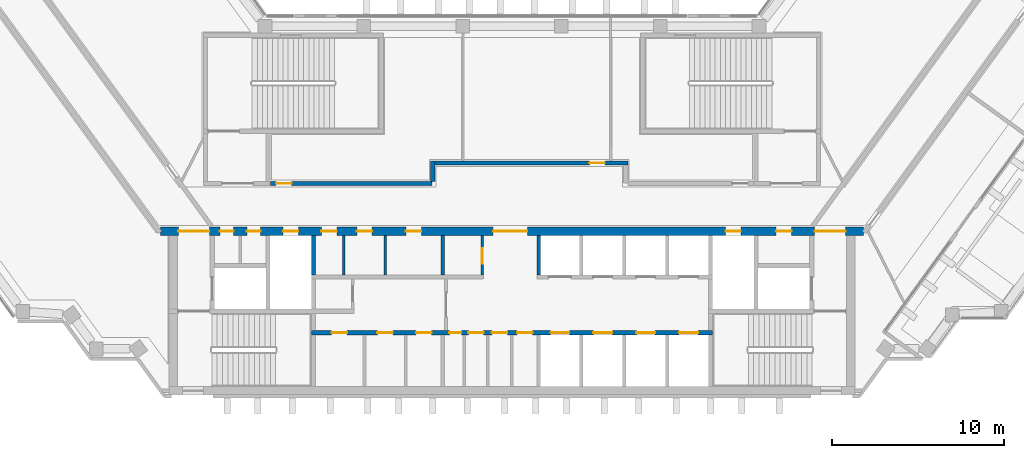
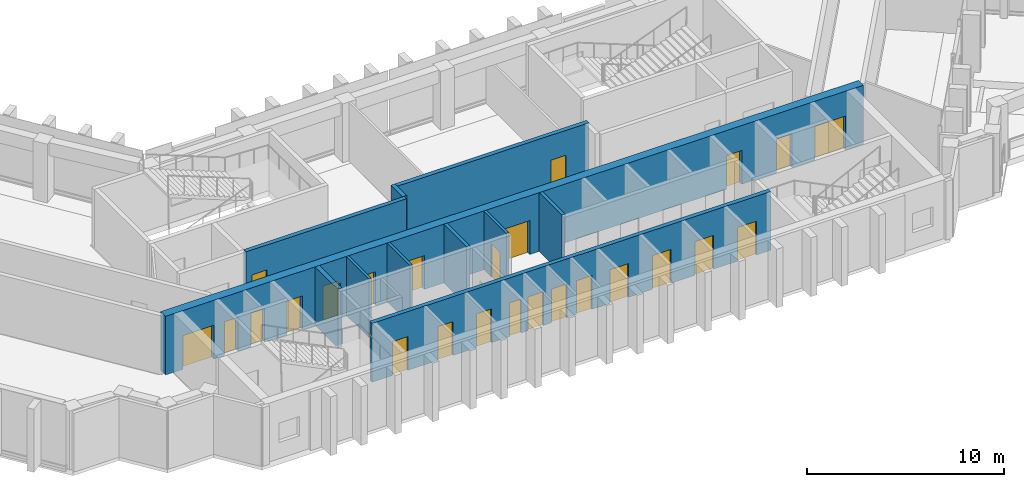
# One storey, part 6 of 10: 25 doors, 11 walls, 25 openings.
"""IFC4 building model written with IfcOpenShell, lengths in metres."""

import ifcopenshell
import ifcopenshell.guid

model = None  # the IFC model being written
_history = None  # IfcOwnerHistory: only IFC2X3 demands one
_inside = {}  # id of a spatial element -> (the spatial element, [elements in it])
_under = {}  # id of a project, library or spatial element -> (it, [spatial elements below it])
_declared = {}  # id of a project -> (the project, [libraries it declares])
_typed = {}  # id of a type object -> (the type object, [elements of that type])
_made_of = {}  # id of a material, layer set ... -> (it, [elements and type objects made of it])


def new_model(schema):
    """Start an empty IFC model of exactly this schema.

    Asked for "IFC4X3", IfcOpenShell would pick the latest addendum, in which some entities
    have other attributes; the version numbers below select the first issue.
    IFC2X3 requires an IfcOwnerHistory on every rooted entity: one is made here for all.
    """
    global model, _history
    if schema == "IFC4X3":
        model = ifcopenshell.file(schema_version=(4, 3, 0, 0))
    else:
        model = ifcopenshell.file(schema=schema)
    _inside.clear()
    _under.clear()
    _declared.clear()
    _typed.clear()
    _made_of.clear()
    _history = None
    if model.schema == "IFC2X3":
        org = make("IfcOrganization", Name="unknown")
        user = make(
            "IfcPersonAndOrganization",
            ThePerson=make("IfcPerson", FamilyName="unknown"),
            TheOrganization=org,
        )
        app = make(
            "IfcApplication",
            ApplicationDeveloper=org,
            Version="unknown",
            ApplicationFullName="unknown",
            ApplicationIdentifier="unknown",
        )
        _history = make(
            "IfcOwnerHistory",
            OwningUser=user,
            OwningApplication=app,
            ChangeAction="ADDED",
            CreationDate=0,
        )
    return model


def make(cls, **values):
    """One entity of the class cls with the attributes given. An attribute that is None is left unset."""
    return model.create_entity(
        cls, **{name: value for name, value in values.items() if value is not None}
    )


def rooted(cls, **values):
    """An entity with a GlobalId (a new one), such as an element, a storey or a relation."""
    return make(cls, GlobalId=ifcopenshell.guid.new(), OwnerHistory=_history, **values)


def si_unit(unit_type, name, prefix=None):
    """IfcSIUnit, for example si_unit("LENGTHUNIT", "METRE", prefix="MILLI")."""
    return make("IfcSIUnit", UnitType=unit_type, Prefix=prefix, Name=name)


def assignment(units):
    """IfcUnitAssignment: the units of a project."""
    return None if units is None else make("IfcUnitAssignment", Units=units)


def point(xyz):
    """IfcCartesianPoint."""
    return None if xyz is None else make("IfcCartesianPoint", Coordinates=xyz)


def direction(xyz):
    """IfcDirection."""
    return None if xyz is None else make("IfcDirection", DirectionRatios=xyz)


def frame(location, z_axis=None, x_axis=None):
    """IfcAxis2Placement3D, a coordinate frame: its origin and axes. An axis left out is left unset."""
    return make(
        "IfcAxis2Placement3D",
        Location=point(location),
        Axis=direction(z_axis),
        RefDirection=direction(x_axis),
    )


def frame_2d(location, x_axis=None):
    """IfcAxis2Placement2D, a coordinate frame in the plane: its origin and x axis."""
    return make(
        "IfcAxis2Placement2D", Location=point(location), RefDirection=direction(x_axis)
    )


def origin():
    """The frame at (0, 0, 0) with its axes left unset."""
    return frame((0.0, 0.0, 0.0))


def place(relative_to, where):
    """IfcLocalPlacement: puts the frame where relative to a parent placement (None: the world)."""
    return make(
        "IfcLocalPlacement", PlacementRelTo=relative_to, RelativePlacement=where
    )


def context(
    kind, dimensions, precision=None, world=None, true_north=None, identifier=None
):
    """IfcGeometricRepresentationContext, for example the 3D "Model" context."""
    return make(
        "IfcGeometricRepresentationContext",
        ContextIdentifier=identifier,
        ContextType=kind,
        CoordinateSpaceDimension=dimensions,
        Precision=precision,
        WorldCoordinateSystem=world,
        TrueNorth=true_north,
    )


def subcontext(parent, identifier, kind, view, scale=None):
    """IfcGeometricRepresentationSubContext, for example "Body" below "Model"."""
    return make(
        "IfcGeometricRepresentationSubContext",
        ContextIdentifier=identifier,
        ContextType=kind,
        ParentContext=parent,
        TargetScale=scale,
        TargetView=view,
    )


def project(units=None, contexts=None):
    """IfcProject with its units and contexts."""
    return rooted(
        "IfcProject",
        Name="project",
        RepresentationContexts=contexts,
        UnitsInContext=assignment(units),
    )


def spatial(cls, under=None, at=None, **own):
    """A site, building, storey or space (cls), placed at a placement, below another one or the project."""
    s = rooted(cls, ObjectPlacement=at, **own)
    if under is not None:
        _under.setdefault(under.id(), (under, []))[1].append(s)
    return s


def profile(cls, at=None, kind="AREA", **sizes):
    """A parametric profile (cls). Its sizes go by their IFC names, for example OverallWidth=200.0."""
    return make(cls, ProfileType=kind, Position=at, **sizes)


def rectangle(**sizes):
    """IfcRectangleProfileDef."""
    return profile("IfcRectangleProfileDef", **sizes)


def extrude(swept, where, along, depth):
    """IfcExtrudedAreaSolid: the profile swept, set in the frame where, extruded along a direction by depth."""
    return make(
        "IfcExtrudedAreaSolid",
        SweptArea=swept,
        Position=where,
        ExtrudedDirection=direction(along),
        Depth=depth,
    )


def shape(context_of_items, identifier, shape_type, items):
    """IfcShapeRepresentation: the items that make up one representation, for example the "Body"."""
    return make(
        "IfcShapeRepresentation",
        ContextOfItems=context_of_items,
        RepresentationIdentifier=identifier,
        RepresentationType=shape_type,
        Items=items,
    )


def material(Name=None, Category=None):
    """IfcMaterial."""
    return make("IfcMaterial", Name=Name, Category=Category)


def layer(
    of_material, thickness, ventilated=None, Name=None, Category=None, Priority=None
):
    """IfcMaterialLayer: one layer of a wall or slab, of a material (None: an air gap)."""
    return make(
        "IfcMaterialLayer",
        Material=of_material,
        LayerThickness=thickness,
        IsVentilated=ventilated,
        Name=Name,
        Category=Category,
        Priority=Priority,
    )


def layer_set(layers, Name=None):
    """IfcMaterialLayerSet."""
    return make("IfcMaterialLayerSet", MaterialLayers=layers, LayerSetName=Name)


def made_of(thing, what):
    """Note that an element or type object is made of a material, layer set ...; save() writes the relation."""
    if what is not None:
        _made_of.setdefault(what.id(), (what, []))[1].append(thing)
    return thing


def type_object(cls, material=None, **own):
    """A type object (cls), such as IfcWallType, which elements share."""
    return made_of(rooted(cls, **own), material)


def element(
    cls,
    number,
    at=None,
    inside=None,
    cuts=None,
    type_object=None,
    material=None,
    context=None,
    identifier="Body",
    shape_type=None,
    held_by="IfcProductDefinitionShape",
    body=None,
    shapes=None,
    **own,
):
    """One element of the class cls, such as IfcWall. Its Tag is "e" and its number.

    at: its placement. inside: the storey or other place that contains it. cuts: it is an
    opening in that element (IfcRelVoidsElement). A single representation is given by context,
    identifier, shape_type and body (its items); several are given by shapes. held_by: the class
    of the entity that holds the representations. save() writes the other relations.
    """
    e = rooted(cls, Tag="e%d" % number, ObjectPlacement=at, **own)
    if body is not None:
        shapes = [shape(context, identifier, shape_type, body)]
    if shapes is not None:
        e.Representation = make(held_by, Representations=shapes)
    if inside is not None:
        _inside.setdefault(inside.id(), (inside, []))[1].append(e)
    if cuts is not None:
        rooted(
            "IfcRelVoidsElement", RelatingBuildingElement=cuts, RelatedOpeningElement=e
        )
    if type_object is not None:
        _typed.setdefault(type_object.id(), (type_object, []))[1].append(e)
    return made_of(e, material)


def fill(opening, filler):
    """IfcRelFillsElement: the door or window that sits in an opening."""
    return rooted(
        "IfcRelFillsElement",
        RelatingOpeningElement=opening,
        RelatedBuildingElement=filler,
    )


def aggregate(whole, parts):
    """IfcRelAggregates: a whole, such as a stair, and the parts it consists of."""
    return rooted("IfcRelAggregates", RelatingObject=whole, RelatedObjects=parts)


def save(model, path):
    """Write the relations noted so far, then the file.

    IfcRelAggregates (storeys below a building ...), IfcRelContainedInSpatialStructure (elements
    in a storey), IfcRelDefinesByType, IfcRelAssociatesMaterial and IfcRelDeclares: one each for
    every whole, place, type object, material and project.
    """
    for whole, parts in _under.values():
        aggregate(whole, parts)
    for where, things in _inside.values():
        rooted(
            "IfcRelContainedInSpatialStructure",
            RelatedElements=things,
            RelatingStructure=where,
        )
    for kind, things in _typed.values():
        rooted("IfcRelDefinesByType", RelatedObjects=things, RelatingType=kind)
    for what, things in _made_of.values():
        rooted("IfcRelAssociatesMaterial", RelatedObjects=things, RelatingMaterial=what)
    for by, libraries in _declared.values():
        rooted("IfcRelDeclares", RelatingContext=by, RelatedDefinitions=libraries)
    model.write(path)


model = new_model("IFC4")

# Units and contexts
model_context = context("Model", 3, precision=1e-05, world=origin(), true_north=direction((0.0, 1.0)))
body_context = subcontext(model_context, "Body", "Model", "MODEL_VIEW")
ifc_project = project(units=[si_unit("LENGTHUNIT", "METRE"), si_unit("AREAUNIT", "SQUARE_METRE"), si_unit("VOLUMEUNIT", "CUBIC_METRE"), si_unit("PLANEANGLEUNIT", "RADIAN"), si_unit("MASSUNIT", "GRAM", prefix="KILO")], contexts=[model_context])

# Site, building, storey
site_placement = place(None, origin())
site = spatial("IfcSite", under=ifc_project, at=site_placement, CompositionType="ELEMENT")
building_placement = place(site_placement, origin())
building = spatial("IfcBuilding", under=site, at=building_placement, Name="Quipu Civic Tower", CompositionType="ELEMENT")
storey_placement = place(building_placement, frame((0.0, 0.0, 206.0)))
storey = spatial("IfcBuildingStorey", under=building, at=storey_placement, Name="L48", CompositionType="ELEMENT", Elevation=206.0)

# Wall, openings, doors
ifc_material_1 = material(Name="Concrete C70/85", Category="concrete")
ifc_layer_1 = layer(ifc_material_1, 0.25)
ifc_layer_set_1 = layer_set([ifc_layer_1], Name="Concrete C70/85")
wall_type_1 = type_object("IfcWallType", Name="Core wall 250", PredefinedType="SHEAR", material=ifc_layer_set_1)
wall_1_placement = place(storey_placement, frame((11.699951171875, -7.375, 0.0), z_axis=(0.0, 0.0, 1.0), x_axis=(-1.0, 0.0, 0.0)))
wall_1 = element("IfcWall", 1, at=wall_1_placement, inside=storey, type_object=wall_type_1, Name="Core wall", PredefinedType="SHEAR", context=body_context, shape_type="SweptSolid", body=[
    extrude(rectangle(XDim=23.39990234375, YDim=0.25, at=frame_2d((11.699951171875, 0.0))), origin(), (0.0, 0.0, 1.0), 3.64990234375),
])
opening_1_placement = place(wall_1_placement, frame((21.31201171875, 0.0, 0.0)))
opening_1 = element("IfcOpeningElement", 2, at=opening_1_placement, cuts=wall_1, Name="Opening CD-01", PredefinedType="OPENING", context=body_context, shape_type="SweptSolid", body=[
    extrude(rectangle(XDim=0.89990234375, YDim=2.10009765625, at=frame_2d((0.449951171875, 1.050048828125))), frame((0.0, 0.135009765625, 0.0), z_axis=(0.0, -1.0, 0.0), x_axis=(1.0, 0.0, 0.0)), (0.0, 0.0, 1.0), 0.27001953125),
])
opening_2_placement = place(wall_1_placement, frame((18.64990234375, 0.0, 0.0)))
opening_2 = element("IfcOpeningElement", 3, at=opening_2_placement, cuts=wall_1, Name="Opening CD-02", PredefinedType="OPENING", context=body_context, shape_type="SweptSolid", body=[
    extrude(rectangle(XDim=0.89990234375, YDim=2.10009765625, at=frame_2d((0.449951171875, 1.050048828125))), frame((0.0, 0.135009765625, 0.0), z_axis=(0.0, -1.0, 0.0), x_axis=(1.0, 0.0, 0.0)), (0.0, 0.0, 1.0), 0.27001953125),
])
opening_3_placement = place(wall_1_placement, frame((16.387939453125, 0.0, 0.0)))
opening_3 = element("IfcOpeningElement", 4, at=opening_3_placement, cuts=wall_1, Name="Opening CD-03", PredefinedType="OPENING", context=body_context, shape_type="SweptSolid", body=[
    extrude(rectangle(XDim=0.89990234375, YDim=2.10009765625, at=frame_2d((0.449951171875, 1.050048828125))), frame((0.0, 0.135009765625, 0.0), z_axis=(0.0, -1.0, 0.0), x_axis=(1.0, 0.0, 0.0)), (0.0, 0.0, 1.0), 0.27001953125),
])
opening_4_placement = place(wall_1_placement, frame((14.64990234375, 0.0, 0.0)))
opening_4 = element("IfcOpeningElement", 5, at=opening_4_placement, cuts=wall_1, Name="Opening CD-04", PredefinedType="OPENING", context=body_context, shape_type="SweptSolid", body=[
    extrude(rectangle(XDim=0.699951171875, YDim=2.10009765625, at=frame_2d((0.35009765625, 1.050048828125))), frame((0.0, 0.135009765625, 0.0), z_axis=(0.0, -1.0, 0.0), x_axis=(1.0, 0.0, 0.0)), (0.0, 0.0, 1.0), 0.27001953125),
])
opening_5_placement = place(wall_1_placement, frame((13.35009765625, 0.0, 0.0)))
opening_5 = element("IfcOpeningElement", 6, at=opening_5_placement, cuts=wall_1, Name="Opening CD-05", PredefinedType="OPENING", context=body_context, shape_type="SweptSolid", body=[
    extrude(rectangle(XDim=0.89990234375, YDim=2.10009765625, at=frame_2d((0.449951171875, 1.050048828125))), frame((0.0, 0.135009765625, 0.0), z_axis=(0.0, -1.0, 0.0), x_axis=(1.0, 0.0, 0.0)), (0.0, 0.0, 1.0), 0.27001953125),
])
opening_6_placement = place(wall_1_placement, frame((11.97509765625, 0.0, 0.0)))
opening_6 = element("IfcOpeningElement", 7, at=opening_6_placement, cuts=wall_1, Name="Opening CD-06", PredefinedType="OPENING", context=body_context, shape_type="SweptSolid", body=[
    extrude(rectangle(XDim=0.89990234375, YDim=2.10009765625, at=frame_2d((0.449951171875, 1.050048828125))), frame((0.0, 0.135009765625, 0.0), z_axis=(0.0, -1.0, 0.0), x_axis=(1.0, 0.0, 0.0)), (0.0, 0.0, 1.0), 0.27001953125),
])
opening_7_placement = place(wall_1_placement, frame((10.5, 0.0, 0.0)))
opening_7 = element("IfcOpeningElement", 8, at=opening_7_placement, cuts=wall_1, Name="Opening CD-07", PredefinedType="OPENING", context=body_context, shape_type="SweptSolid", body=[
    extrude(rectangle(XDim=0.89990234375, YDim=2.10009765625, at=frame_2d((0.449951171875, 1.050048828125))), frame((0.0, 0.135009765625, 0.0), z_axis=(0.0, -1.0, 0.0), x_axis=(1.0, 0.0, 0.0)), (0.0, 0.0, 1.0), 0.27001953125),
])
opening_8_placement = place(wall_1_placement, frame((8.35009765625, 0.0, 0.0)))
opening_8 = element("IfcOpeningElement", 9, at=opening_8_placement, cuts=wall_1, Name="Opening LD-ML1", PredefinedType="OPENING", context=body_context, shape_type="SweptSolid", body=[
    extrude(rectangle(XDim=1.10009765625, YDim=2.10009765625, at=frame_2d((0.550048828125, 1.050048828125))), frame((0.0, 0.135009765625, 0.0), z_axis=(0.0, -1.0, 0.0), x_axis=(1.0, 0.0, 0.0)), (0.0, 0.0, 1.0), 0.27001953125),
])
opening_9_placement = place(wall_1_placement, frame((5.85009765625, 0.0, 0.0)))
opening_9 = element("IfcOpeningElement", 10, at=opening_9_placement, cuts=wall_1, Name="Opening LD-ML2", PredefinedType="OPENING", context=body_context, shape_type="SweptSolid", body=[
    extrude(rectangle(XDim=1.10009765625, YDim=2.10009765625, at=frame_2d((0.550048828125, 1.050048828125))), frame((0.0, 0.135009765625, 0.0), z_axis=(0.0, -1.0, 0.0), x_axis=(1.0, 0.0, 0.0)), (0.0, 0.0, 1.0), 0.27001953125),
])
opening_10_placement = place(wall_1_placement, frame((3.35009765625, 0.0, 0.0)))
opening_10 = element("IfcOpeningElement", 11, at=opening_10_placement, cuts=wall_1, Name="Opening LD-ML3", PredefinedType="OPENING", context=body_context, shape_type="SweptSolid", body=[
    extrude(rectangle(XDim=1.10009765625, YDim=2.10009765625, at=frame_2d((0.550048828125, 1.050048828125))), frame((0.0, 0.135009765625, 0.0), z_axis=(0.0, -1.0, 0.0), x_axis=(1.0, 0.0, 0.0)), (0.0, 0.0, 1.0), 0.27001953125),
])
opening_11_placement = place(wall_1_placement, frame((0.85009765625, 0.0, 0.0)))
opening_11 = element("IfcOpeningElement", 12, at=opening_11_placement, cuts=wall_1, Name="Opening LD-ML4", PredefinedType="OPENING", context=body_context, shape_type="SweptSolid", body=[
    extrude(rectangle(XDim=1.10009765625, YDim=2.10009765625, at=frame_2d((0.550048828125, 1.050048828125))), frame((0.0, 0.135009765625, 0.0), z_axis=(0.0, -1.0, 0.0), x_axis=(1.0, 0.0, 0.0)), (0.0, 0.0, 1.0), 0.27001953125),
])
ifc_material_2 = material(Name="Fire rated steel door", Category="steel")
door_type_1 = type_object("IfcDoorType", Name="Fire door FD60 700 x 2100", OperationType="NOTDEFINED", PredefinedType="DOOR", material=ifc_material_2)
door_1_placement = place(opening_4_placement, origin())
door_1 = element("IfcDoor", 13, at=door_1_placement, inside=storey, type_object=door_type_1, Name="Door", OperationType="SINGLE_SWING_RIGHT", OverallHeight=2.10009765625, OverallWidth=0.699951171875, PredefinedType="DOOR", context=body_context, shape_type="SweptSolid", body=[
    extrude(rectangle(XDim=0.699951171875, YDim=2.10009765625, at=frame_2d((0.35009765625, 1.050048828125))), frame((0.0, 0.02490234375, 0.0), z_axis=(0.0, -1.0, 0.0), x_axis=(1.0, 0.0, 0.0)), (0.0, 0.0, 1.0), 0.050048828125),
])
fill(opening_4, door_1)
ifc_material_3 = material(Name="Fire rated steel door", Category="steel")
door_type_2 = type_object("IfcDoorType", Name="Fire door FD60 900 x 2100", OperationType="NOTDEFINED", PredefinedType="DOOR", material=ifc_material_3)
door_2_placement = place(opening_1_placement, origin())
door_2 = element("IfcDoor", 14, at=door_2_placement, inside=storey, type_object=door_type_2, Name="Door", OperationType="SINGLE_SWING_RIGHT", OverallHeight=2.10009765625, OverallWidth=0.89990234375, PredefinedType="DOOR", context=body_context, shape_type="SweptSolid", body=[
    extrude(rectangle(XDim=0.89990234375, YDim=2.10009765625, at=frame_2d((0.449951171875, 1.050048828125))), frame((0.0, 0.02490234375, 0.0), z_axis=(0.0, -1.0, 0.0), x_axis=(1.0, 0.0, 0.0)), (0.0, 0.0, 1.0), 0.050048828125),
])
fill(opening_1, door_2)
door_3_placement = place(opening_2_placement, origin())
door_3 = element("IfcDoor", 15, at=door_3_placement, inside=storey, type_object=door_type_2, Name="Door", OperationType="SINGLE_SWING_RIGHT", OverallHeight=2.10009765625, OverallWidth=0.89990234375, PredefinedType="DOOR", context=body_context, shape_type="SweptSolid", body=[
    extrude(rectangle(XDim=0.89990234375, YDim=2.10009765625, at=frame_2d((0.449951171875, 1.050048828125))), frame((0.0, 0.02490234375, 0.0), z_axis=(0.0, -1.0, 0.0), x_axis=(1.0, 0.0, 0.0)), (0.0, 0.0, 1.0), 0.050048828125),
])
fill(opening_2, door_3)
door_4_placement = place(opening_3_placement, origin())
door_4 = element("IfcDoor", 16, at=door_4_placement, inside=storey, type_object=door_type_2, Name="Door", OperationType="SINGLE_SWING_RIGHT", OverallHeight=2.10009765625, OverallWidth=0.89990234375, PredefinedType="DOOR", context=body_context, shape_type="SweptSolid", body=[
    extrude(rectangle(XDim=0.89990234375, YDim=2.10009765625, at=frame_2d((0.449951171875, 1.050048828125))), frame((0.0, 0.02490234375, 0.0), z_axis=(0.0, -1.0, 0.0), x_axis=(1.0, 0.0, 0.0)), (0.0, 0.0, 1.0), 0.050048828125),
])
fill(opening_3, door_4)
door_5_placement = place(opening_5_placement, origin())
door_5 = element("IfcDoor", 17, at=door_5_placement, inside=storey, type_object=door_type_2, Name="WC door", OperationType="SINGLE_SWING_RIGHT", OverallHeight=2.10009765625, OverallWidth=0.89990234375, PredefinedType="DOOR", context=body_context, shape_type="SweptSolid", body=[
    extrude(rectangle(XDim=0.89990234375, YDim=2.10009765625, at=frame_2d((0.449951171875, 1.050048828125))), frame((0.0, 0.02490234375, 0.0), z_axis=(0.0, -1.0, 0.0), x_axis=(1.0, 0.0, 0.0)), (0.0, 0.0, 1.0), 0.050048828125),
])
fill(opening_5, door_5)
door_6_placement = place(opening_6_placement, origin())
door_6 = element("IfcDoor", 18, at=door_6_placement, inside=storey, type_object=door_type_2, Name="WC door", OperationType="SINGLE_SWING_RIGHT", OverallHeight=2.10009765625, OverallWidth=0.89990234375, PredefinedType="DOOR", context=body_context, shape_type="SweptSolid", body=[
    extrude(rectangle(XDim=0.89990234375, YDim=2.10009765625, at=frame_2d((0.449951171875, 1.050048828125))), frame((0.0, 0.02490234375, 0.0), z_axis=(0.0, -1.0, 0.0), x_axis=(1.0, 0.0, 0.0)), (0.0, 0.0, 1.0), 0.050048828125),
])
fill(opening_6, door_6)
door_7_placement = place(opening_7_placement, origin())
door_7 = element("IfcDoor", 19, at=door_7_placement, inside=storey, type_object=door_type_2, Name="WC door", OperationType="SINGLE_SWING_LEFT", OverallHeight=2.10009765625, OverallWidth=0.89990234375, PredefinedType="DOOR", context=body_context, shape_type="SweptSolid", body=[
    extrude(rectangle(XDim=0.89990234375, YDim=2.10009765625, at=frame_2d((0.449951171875, 1.050048828125))), frame((0.0, 0.02490234375, 0.0), z_axis=(0.0, -1.0, 0.0), x_axis=(1.0, 0.0, 0.0)), (0.0, 0.0, 1.0), 0.050048828125),
])
fill(opening_7, door_7)
ifc_material_4 = material(Name="Stainless steel", Category="steel")
door_type_3 = type_object("IfcDoorType", Name="Lift landing door 1100 x 2100", OperationType="DOUBLE_DOOR_SLIDING", PredefinedType="DOOR", material=ifc_material_4)
door_8_placement = place(opening_8_placement, origin())
door_8 = element("IfcDoor", 20, at=door_8_placement, inside=storey, type_object=door_type_3, Name="Landing door ML1", OperationType="DOUBLE_DOOR_SLIDING", OverallHeight=2.10009765625, OverallWidth=1.10009765625, PredefinedType="DOOR", context=body_context, shape_type="SweptSolid", body=[
    extrude(rectangle(XDim=1.10009765625, YDim=2.10009765625, at=frame_2d((0.550048828125, 1.050048828125))), frame((0.0, 0.02490234375, 0.0), z_axis=(0.0, -1.0, 0.0), x_axis=(1.0, 0.0, 0.0)), (0.0, 0.0, 1.0), 0.050048828125),
])
fill(opening_8, door_8)
door_9_placement = place(opening_9_placement, origin())
door_9 = element("IfcDoor", 21, at=door_9_placement, inside=storey, type_object=door_type_3, Name="Landing door ML2", OperationType="DOUBLE_DOOR_SLIDING", OverallHeight=2.10009765625, OverallWidth=1.10009765625, PredefinedType="DOOR", context=body_context, shape_type="SweptSolid", body=[
    extrude(rectangle(XDim=1.10009765625, YDim=2.10009765625, at=frame_2d((0.550048828125, 1.050048828125))), frame((0.0, 0.02490234375, 0.0), z_axis=(0.0, -1.0, 0.0), x_axis=(1.0, 0.0, 0.0)), (0.0, 0.0, 1.0), 0.050048828125),
])
fill(opening_9, door_9)
door_10_placement = place(opening_10_placement, origin())
door_10 = element("IfcDoor", 22, at=door_10_placement, inside=storey, type_object=door_type_3, Name="Landing door ML3", OperationType="DOUBLE_DOOR_SLIDING", OverallHeight=2.10009765625, OverallWidth=1.10009765625, PredefinedType="DOOR", context=body_context, shape_type="SweptSolid", body=[
    extrude(rectangle(XDim=1.10009765625, YDim=2.10009765625, at=frame_2d((0.550048828125, 1.050048828125))), frame((0.0, 0.02490234375, 0.0), z_axis=(0.0, -1.0, 0.0), x_axis=(1.0, 0.0, 0.0)), (0.0, 0.0, 1.0), 0.050048828125),
])
fill(opening_10, door_10)
door_11_placement = place(opening_11_placement, origin())
door_11 = element("IfcDoor", 23, at=door_11_placement, inside=storey, type_object=door_type_3, Name="Landing door ML4", OperationType="DOUBLE_DOOR_SLIDING", OverallHeight=2.10009765625, OverallWidth=1.10009765625, PredefinedType="DOOR", context=body_context, shape_type="SweptSolid", body=[
    extrude(rectangle(XDim=1.10009765625, YDim=2.10009765625, at=frame_2d((0.550048828125, 1.050048828125))), frame((0.0, 0.02490234375, 0.0), z_axis=(0.0, -1.0, 0.0), x_axis=(1.0, 0.0, 0.0)), (0.0, 0.0, 1.0), 0.050048828125),
])
fill(opening_11, door_11)

# Wall
wall_2_placement = place(storey_placement, frame((-11.574951171875, -4.0, 0.0), z_axis=(0.0, 0.0, 1.0), x_axis=(0.0, 1.0, 0.0)))
element("IfcWall", 24, at=wall_2_placement, inside=storey, type_object=wall_type_1, Name="Core wall", PredefinedType="SHEAR", context=body_context, shape_type="SweptSolid", body=[
    extrude(rectangle(XDim=2.300048828125, YDim=0.25, at=frame_2d((1.14990234375, 0.0))), origin(), (0.0, 0.0, 1.0), 3.64990234375),
])

# Wall, openings, doors
ifc_material_5 = material(Name="Concrete C70/85", Category="concrete")
ifc_layer_2 = layer(ifc_material_5, 0.5)
ifc_layer_set_2 = layer_set([ifc_layer_2], Name="Concrete C70/85")
wall_type_2 = type_object("IfcWallType", Name="Core wall 500", PredefinedType="SHEAR", material=ifc_layer_set_2)
wall_3_placement = place(storey_placement, frame((20.489990234375, -1.449951171875, 0.0), z_axis=(0.0, 0.0, 1.0), x_axis=(-1.0, 0.0, 0.0)))
wall_3 = element("IfcWall", 25, at=wall_3_placement, inside=storey, type_object=wall_type_2, Name="Core wall", PredefinedType="SHEAR", context=body_context, shape_type="SweptSolid", body=[
    extrude(rectangle(XDim=40.97998046875, YDim=0.5, at=frame_2d((20.489990234375, 0.0))), origin(), (0.0, 0.0, 1.0), 3.64990234375),
])
opening_12_placement = place(wall_3_placement, frame((38.139892578125, 0.0, 0.0)))
opening_12 = element("IfcOpeningElement", 26, at=opening_12_placement, cuts=wall_3, Name="Opening CD-13", PredefinedType="OPENING", context=body_context, shape_type="SweptSolid", body=[
    extrude(rectangle(XDim=1.800048828125, YDim=2.10009765625, at=frame_2d((0.89990234375, 1.050048828125))), frame((0.0, 0.260009765625, 0.0), z_axis=(0.0, -1.0, 0.0), x_axis=(1.0, 0.0, 0.0)), (0.0, 0.0, 1.0), 0.52001953125),
])
opening_13_placement = place(wall_3_placement, frame((36.7275390625, 0.0, 0.0)))
opening_13 = element("IfcOpeningElement", 27, at=opening_13_placement, cuts=wall_3, Name="Opening CD-14", PredefinedType="OPENING", context=body_context, shape_type="SweptSolid", body=[
    extrude(rectangle(XDim=0.800048828125, YDim=2.10009765625, at=frame_2d((0.39990234375, 1.050048828125))), frame((0.0, 0.260009765625, 0.0), z_axis=(0.0, -1.0, 0.0), x_axis=(1.0, 0.0, 0.0)), (0.0, 0.0, 1.0), 0.52001953125),
])
opening_14_placement = place(wall_3_placement, frame((35.152587890625, 0.0, 0.0)))
opening_14 = element("IfcOpeningElement", 28, at=opening_14_placement, cuts=wall_3, Name="Opening CD-15", PredefinedType="OPENING", context=body_context, shape_type="SweptSolid", body=[
    extrude(rectangle(XDim=0.800048828125, YDim=2.10009765625, at=frame_2d((0.39990234375, 1.050048828125))), frame((0.0, 0.260009765625, 0.0), z_axis=(0.0, -1.0, 0.0), x_axis=(1.0, 0.0, 0.0)), (0.0, 0.0, 1.0), 0.52001953125),
])
opening_15_placement = place(wall_3_placement, frame((32.93994140625, 0.0, 0.0)))
opening_15 = element("IfcOpeningElement", 29, at=opening_15_placement, cuts=wall_3, Name="Opening CD-16", PredefinedType="OPENING", context=body_context, shape_type="SweptSolid", body=[
    extrude(rectangle(XDim=0.89990234375, YDim=2.10009765625, at=frame_2d((0.449951171875, 1.050048828125))), frame((0.0, 0.260009765625, 0.0), z_axis=(0.0, -1.0, 0.0), x_axis=(1.0, 0.0, 0.0)), (0.0, 0.0, 1.0), 0.52001953125),
])
opening_16_placement = place(wall_3_placement, frame((30.702392578125, 0.0, 0.0)))
opening_16 = element("IfcOpeningElement", 30, at=opening_16_placement, cuts=wall_3, Name="Opening CD-17", PredefinedType="OPENING", context=body_context, shape_type="SweptSolid", body=[
    extrude(rectangle(XDim=0.89990234375, YDim=2.10009765625, at=frame_2d((0.449951171875, 1.050048828125))), frame((0.0, 0.260009765625, 0.0), z_axis=(0.0, -1.0, 0.0), x_axis=(1.0, 0.0, 0.0)), (0.0, 0.0, 1.0), 0.52001953125),
])
opening_17_placement = place(wall_3_placement, frame((28.639892578125, 0.0, 0.0)))
opening_17 = element("IfcOpeningElement", 31, at=opening_17_placement, cuts=wall_3, Name="Opening CD-18", PredefinedType="OPENING", context=body_context, shape_type="SweptSolid", body=[
    extrude(rectangle(XDim=0.89990234375, YDim=2.10009765625, at=frame_2d((0.449951171875, 1.050048828125))), frame((0.0, 0.260009765625, 0.0), z_axis=(0.0, -1.0, 0.0), x_axis=(1.0, 0.0, 0.0)), (0.0, 0.0, 1.0), 0.52001953125),
])
opening_18_placement = place(wall_3_placement, frame((25.777587890625, 0.0, 0.0)))
opening_18 = element("IfcOpeningElement", 32, at=opening_18_placement, cuts=wall_3, Name="Opening CD-19", PredefinedType="OPENING", context=body_context, shape_type="SweptSolid", body=[
    extrude(rectangle(XDim=0.89990234375, YDim=2.10009765625, at=frame_2d((0.449951171875, 1.050048828125))), frame((0.0, 0.260009765625, 0.0), z_axis=(0.0, -1.0, 0.0), x_axis=(1.0, 0.0, 0.0)), (0.0, 0.0, 1.0), 0.52001953125),
])
opening_19_placement = place(wall_3_placement, frame((19.590087890625, 0.0, 0.0)))
opening_19 = element("IfcOpeningElement", 33, at=opening_19_placement, cuts=wall_3, Name="Opening CD-20", PredefinedType="OPENING", context=body_context, shape_type="SweptSolid", body=[
    extrude(rectangle(XDim=2.0, YDim=2.10009765625, at=frame_2d((1.0, 1.050048828125))), frame((0.0, 0.260009765625, 0.0), z_axis=(0.0, -1.0, 0.0), x_axis=(1.0, 0.0, 0.0)), (0.0, 0.0, 1.0), 0.52001953125),
])
opening_20_placement = place(wall_3_placement, frame((7.139892578125, 0.0, 0.0)))
opening_20 = element("IfcOpeningElement", 34, at=opening_20_placement, cuts=wall_3, Name="Opening CD-21", PredefinedType="OPENING", context=body_context, shape_type="SweptSolid", body=[
    extrude(rectangle(XDim=0.89990234375, YDim=2.10009765625, at=frame_2d((0.449951171875, 1.050048828125))), frame((0.0, 0.260009765625, 0.0), z_axis=(0.0, -1.0, 0.0), x_axis=(1.0, 0.0, 0.0)), (0.0, 0.0, 1.0), 0.52001953125),
])
opening_21_placement = place(wall_3_placement, frame((4.18994140625, 0.0, 0.0)))
opening_21 = element("IfcOpeningElement", 35, at=opening_21_placement, cuts=wall_3, Name="Opening CD-22", PredefinedType="OPENING", context=body_context, shape_type="SweptSolid", body=[
    extrude(rectangle(XDim=0.89990234375, YDim=2.10009765625, at=frame_2d((0.449951171875, 1.050048828125))), frame((0.0, 0.260009765625, 0.0), z_axis=(0.0, -1.0, 0.0), x_axis=(1.0, 0.0, 0.0)), (0.0, 0.0, 1.0), 0.52001953125),
])
opening_22_placement = place(wall_3_placement, frame((1.0400390625, 0.0, 0.0)))
opening_22 = element("IfcOpeningElement", 36, at=opening_22_placement, cuts=wall_3, Name="Opening CD-23", PredefinedType="OPENING", context=body_context, shape_type="SweptSolid", body=[
    extrude(rectangle(XDim=1.800048828125, YDim=2.10009765625, at=frame_2d((0.89990234375, 1.050048828125))), frame((0.0, 0.260009765625, 0.0), z_axis=(0.0, -1.0, 0.0), x_axis=(1.0, 0.0, 0.0)), (0.0, 0.0, 1.0), 0.52001953125),
])
ifc_material_6 = material(Name="Fire rated steel door", Category="steel")
door_type_4 = type_object("IfcDoorType", Name="Fire door FD60 800 x 2100", OperationType="NOTDEFINED", PredefinedType="DOOR", material=ifc_material_6)
door_12_placement = place(opening_13_placement, origin())
door_12 = element("IfcDoor", 37, at=door_12_placement, inside=storey, type_object=door_type_4, Name="Door", OperationType="SINGLE_SWING_RIGHT", OverallHeight=2.10009765625, OverallWidth=0.800048828125, PredefinedType="DOOR", context=body_context, shape_type="SweptSolid", body=[
    extrude(rectangle(XDim=0.800048828125, YDim=2.10009765625, at=frame_2d((0.39990234375, 1.050048828125))), frame((0.0, 0.02490234375, 0.0), z_axis=(0.0, -1.0, 0.0), x_axis=(1.0, 0.0, 0.0)), (0.0, 0.0, 1.0), 0.050048828125),
])
fill(opening_13, door_12)
door_13_placement = place(opening_14_placement, origin())
door_13 = element("IfcDoor", 38, at=door_13_placement, inside=storey, type_object=door_type_4, Name="Door", OperationType="SINGLE_SWING_RIGHT", OverallHeight=2.10009765625, OverallWidth=0.800048828125, PredefinedType="DOOR", context=body_context, shape_type="SweptSolid", body=[
    extrude(rectangle(XDim=0.800048828125, YDim=2.10009765625, at=frame_2d((0.39990234375, 1.050048828125))), frame((0.0, 0.02490234375, 0.0), z_axis=(0.0, -1.0, 0.0), x_axis=(1.0, 0.0, 0.0)), (0.0, 0.0, 1.0), 0.050048828125),
])
fill(opening_14, door_13)
door_14_placement = place(opening_15_placement, origin())
door_14 = element("IfcDoor", 39, at=door_14_placement, inside=storey, type_object=door_type_2, Name="Riser door", OperationType="SINGLE_SWING_RIGHT", OverallHeight=2.10009765625, OverallWidth=0.89990234375, PredefinedType="DOOR", context=body_context, shape_type="SweptSolid", body=[
    extrude(rectangle(XDim=0.89990234375, YDim=2.10009765625, at=frame_2d((0.449951171875, 1.050048828125))), frame((0.0, 0.02490234375, 0.0), z_axis=(0.0, -1.0, 0.0), x_axis=(1.0, 0.0, 0.0)), (0.0, 0.0, 1.0), 0.050048828125),
])
fill(opening_15, door_14)
door_15_placement = place(opening_16_placement, origin())
door_15 = element("IfcDoor", 40, at=door_15_placement, inside=storey, type_object=door_type_2, Name="Door", OperationType="SINGLE_SWING_RIGHT", OverallHeight=2.10009765625, OverallWidth=0.89990234375, PredefinedType="DOOR", context=body_context, shape_type="SweptSolid", body=[
    extrude(rectangle(XDim=0.89990234375, YDim=2.10009765625, at=frame_2d((0.449951171875, 1.050048828125))), frame((0.0, 0.02490234375, 0.0), z_axis=(0.0, -1.0, 0.0), x_axis=(1.0, 0.0, 0.0)), (0.0, 0.0, 1.0), 0.050048828125),
])
fill(opening_16, door_15)
door_16_placement = place(opening_17_placement, origin())
door_16 = element("IfcDoor", 41, at=door_16_placement, inside=storey, type_object=door_type_2, Name="Door", OperationType="SINGLE_SWING_RIGHT", OverallHeight=2.10009765625, OverallWidth=0.89990234375, PredefinedType="DOOR", context=body_context, shape_type="SweptSolid", body=[
    extrude(rectangle(XDim=0.89990234375, YDim=2.10009765625, at=frame_2d((0.449951171875, 1.050048828125))), frame((0.0, 0.02490234375, 0.0), z_axis=(0.0, -1.0, 0.0), x_axis=(1.0, 0.0, 0.0)), (0.0, 0.0, 1.0), 0.050048828125),
])
fill(opening_17, door_16)
door_17_placement = place(opening_18_placement, origin())
door_17 = element("IfcDoor", 42, at=door_17_placement, inside=storey, type_object=door_type_2, Name="Door", OperationType="SINGLE_SWING_RIGHT", OverallHeight=2.10009765625, OverallWidth=0.89990234375, PredefinedType="DOOR", context=body_context, shape_type="SweptSolid", body=[
    extrude(rectangle(XDim=0.89990234375, YDim=2.10009765625, at=frame_2d((0.449951171875, 1.050048828125))), frame((0.0, 0.02490234375, 0.0), z_axis=(0.0, -1.0, 0.0), x_axis=(1.0, 0.0, 0.0)), (0.0, 0.0, 1.0), 0.050048828125),
])
fill(opening_18, door_17)
door_18_placement = place(opening_20_placement, origin())
door_18 = element("IfcDoor", 43, at=door_18_placement, inside=storey, type_object=door_type_2, Name="Riser door", OperationType="SINGLE_SWING_LEFT", OverallHeight=2.10009765625, OverallWidth=0.89990234375, PredefinedType="DOOR", context=body_context, shape_type="SweptSolid", body=[
    extrude(rectangle(XDim=0.89990234375, YDim=2.10009765625, at=frame_2d((0.449951171875, 1.050048828125))), frame((0.0, 0.02490234375, 0.0), z_axis=(0.0, -1.0, 0.0), x_axis=(1.0, 0.0, 0.0)), (0.0, 0.0, 1.0), 0.050048828125),
])
fill(opening_20, door_18)
door_19_placement = place(opening_21_placement, origin())
door_19 = element("IfcDoor", 44, at=door_19_placement, inside=storey, type_object=door_type_2, Name="Door", OperationType="SINGLE_SWING_LEFT", OverallHeight=2.10009765625, OverallWidth=0.89990234375, PredefinedType="DOOR", context=body_context, shape_type="SweptSolid", body=[
    extrude(rectangle(XDim=0.89990234375, YDim=2.10009765625, at=frame_2d((0.449951171875, 1.050048828125))), frame((0.0, 0.02490234375, 0.0), z_axis=(0.0, -1.0, 0.0), x_axis=(1.0, 0.0, 0.0)), (0.0, 0.0, 1.0), 0.050048828125),
])
fill(opening_21, door_19)
ifc_material_7 = material(Name="Fire rated steel door", Category="steel")
door_type_5 = type_object("IfcDoorType", Name="Fire door FD90 double 1800 x 2100", OperationType="NOTDEFINED", PredefinedType="DOOR", material=ifc_material_7)
door_20_placement = place(opening_12_placement, origin())
door_20 = element("IfcDoor", 45, at=door_20_placement, inside=storey, type_object=door_type_5, Name="Lobby door", OperationType="DOUBLE_DOOR_SINGLE_SWING", OverallHeight=2.10009765625, OverallWidth=1.800048828125, PredefinedType="DOOR", context=body_context, shape_type="SweptSolid", body=[
    extrude(rectangle(XDim=1.800048828125, YDim=2.10009765625, at=frame_2d((0.89990234375, 1.050048828125))), frame((0.0, 0.02490234375, 0.0), z_axis=(0.0, -1.0, 0.0), x_axis=(1.0, 0.0, 0.0)), (0.0, 0.0, 1.0), 0.050048828125),
])
fill(opening_12, door_20)
door_21_placement = place(opening_22_placement, origin())
door_21 = element("IfcDoor", 46, at=door_21_placement, inside=storey, type_object=door_type_5, Name="Lobby door", OperationType="DOUBLE_DOOR_SINGLE_SWING", OverallHeight=2.10009765625, OverallWidth=1.800048828125, PredefinedType="DOOR", context=body_context, shape_type="SweptSolid", body=[
    extrude(rectangle(XDim=1.800048828125, YDim=2.10009765625, at=frame_2d((0.89990234375, 1.050048828125))), frame((0.0, 0.02490234375, 0.0), z_axis=(0.0, -1.0, 0.0), x_axis=(1.0, 0.0, 0.0)), (0.0, 0.0, 1.0), 0.050048828125),
])
fill(opening_22, door_21)
ifc_material_8 = material(Name="Fire rated steel door", Category="steel")
door_type_6 = type_object("IfcDoorType", Name="Fire door FD90 double 2000 x 2100", OperationType="NOTDEFINED", PredefinedType="DOOR", material=ifc_material_8)
door_22_placement = place(opening_19_placement, origin())
door_22 = element("IfcDoor", 47, at=door_22_placement, inside=storey, type_object=door_type_6, Name="Lobby door", OperationType="DOUBLE_DOOR_SINGLE_SWING", OverallHeight=2.10009765625, OverallWidth=2.0, PredefinedType="DOOR", context=body_context, shape_type="SweptSolid", body=[
    extrude(rectangle(XDim=2.0, YDim=2.10009765625, at=frame_2d((1.0, 1.050048828125))), frame((0.0, 0.02490234375, 0.0), z_axis=(0.0, -1.0, 0.0), x_axis=(1.0, 0.0, 0.0)), (0.0, 0.0, 1.0), 0.050048828125),
])
fill(opening_19, door_22)

# Wall, opening, door
ifc_material_9 = material(Name="Concrete C50/60", Category="concrete")
ifc_layer_3 = layer(ifc_material_9, 0.25)
ifc_layer_set_3 = layer_set([ifc_layer_3], Name="Concrete C50/60")
wall_type_3 = type_object("IfcWallType", Name="Corridor wall 250 concrete", PredefinedType="SOLIDWALL", material=ifc_layer_set_3)
wall_4_placement = place(storey_placement, frame((-14.090087890625, 1.324951171875, 0.0), z_axis=(0.0, 0.0, 1.0), x_axis=(1.0, 0.0, 0.0)))
wall_4 = element("IfcWall", 48, at=wall_4_placement, inside=storey, type_object=wall_type_3, Name="Corridor wall C07", PredefinedType="SOLIDWALL", context=body_context, shape_type="SweptSolid", body=[
    extrude(rectangle(XDim=9.431396484375, YDim=0.25, at=frame_2d((4.7158203125, 0.0))), origin(), (0.0, 0.0, 1.0), 3.64990234375),
])
opening_23_placement = place(wall_4_placement, frame((0.340087890625, 0.0, 0.0)))
opening_23 = element("IfcOpeningElement", 49, at=opening_23_placement, cuts=wall_4, Name="Opening D005", PredefinedType="OPENING", context=body_context, shape_type="SweptSolid", body=[
    extrude(rectangle(XDim=0.89990234375, YDim=2.10009765625, at=frame_2d((0.449951171875, 1.050048828125))), frame((0.0, 0.135009765625, 0.0), z_axis=(0.0, -1.0, 0.0), x_axis=(1.0, 0.0, 0.0)), (0.0, 0.0, 1.0), 0.27001953125),
])
ifc_material_10 = material(Name="Fire rated timber door set with metal frame", Category="wood")
door_type_7 = type_object("IfcDoorType", Name="Single door 900 x 2100 FD60", OperationType="NOTDEFINED", PredefinedType="DOOR", material=ifc_material_10)
door_23_placement = place(opening_23_placement, origin())
door_23 = element("IfcDoor", 50, at=door_23_placement, inside=storey, type_object=door_type_7, Name="Door D005", OperationType="SINGLE_SWING_LEFT", OverallHeight=2.10009765625, OverallWidth=0.89990234375, PredefinedType="DOOR", context=body_context, shape_type="SweptSolid", body=[
    extrude(rectangle(XDim=0.89990234375, YDim=2.10009765625, at=frame_2d((0.449951171875, 1.050048828125))), frame((0.0, 0.02490234375, 0.0), z_axis=(0.0, -1.0, 0.0), x_axis=(1.0, 0.0, 0.0)), (0.0, 0.0, 1.0), 0.050048828125),
])
fill(opening_23, door_23)

# Wall
wall_5_placement = place(storey_placement, frame((-4.625, 1.45361328125, 0.0), z_axis=(0.0, 0.0, 1.0), x_axis=(0.0, 1.0, 0.0)))
element("IfcWall", 51, at=wall_5_placement, inside=storey, type_object=wall_type_3, Name="Corridor wall C08", PredefinedType="SOLIDWALL", context=body_context, shape_type="SweptSolid", body=[
    extrude(rectangle(XDim=1.1962890625, YDim=0.25, at=frame_2d((0.59814453125, 0.0))), origin(), (0.0, 0.0, 1.0), 3.64990234375),
])

# Wall, opening, door
wall_6_placement = place(storey_placement, frame((-4.5, 2.52490234375, 0.0), z_axis=(0.0, 0.0, 1.0), x_axis=(1.0, 0.0, 0.0)))
wall_6 = element("IfcWall", 52, at=wall_6_placement, inside=storey, type_object=wall_type_3, Name="Corridor wall C09", PredefinedType="SOLIDWALL", context=body_context, shape_type="SweptSolid", body=[
    extrude(rectangle(XDim=11.25, YDim=0.25, at=frame_2d((5.625, 0.0))), origin(), (0.0, 0.0, 1.0), 3.64990234375),
])
opening_24_placement = place(wall_6_placement, frame((9.008056640625, 0.0, 0.0)))
opening_24 = element("IfcOpeningElement", 53, at=opening_24_placement, cuts=wall_6, Name="Opening D006", PredefinedType="OPENING", context=body_context, shape_type="SweptSolid", body=[
    extrude(rectangle(XDim=0.89990234375, YDim=2.10009765625, at=frame_2d((0.449951171875, 1.050048828125))), frame((0.0, 0.135009765625, 0.0), z_axis=(0.0, -1.0, 0.0), x_axis=(1.0, 0.0, 0.0)), (0.0, 0.0, 1.0), 0.27001953125),
])
door_24_placement = place(opening_24_placement, origin())
door_24 = element("IfcDoor", 54, at=door_24_placement, inside=storey, type_object=door_type_7, Name="Door D006", OperationType="SINGLE_SWING_RIGHT", OverallHeight=2.10009765625, OverallWidth=0.89990234375, PredefinedType="DOOR", context=body_context, shape_type="SweptSolid", body=[
    extrude(rectangle(XDim=0.89990234375, YDim=2.10009765625, at=frame_2d((0.449951171875, 1.050048828125))), frame((0.0, 0.02490234375, 0.0), z_axis=(0.0, -1.0, 0.0), x_axis=(1.0, 0.0, 0.0)), (0.0, 0.0, 1.0), 0.050048828125),
])
fill(opening_24, door_24)

# Walls
ifc_material_11 = material(Name="Gypsum board partition")
ifc_layer_4 = layer(ifc_material_11, 0.14990234375)
ifc_layer_set_4 = layer_set([ifc_layer_4], Name="Gypsum board partition")
wall_type_4 = type_object("IfcWallType", Name="Partition 150", PredefinedType="PARTITIONING", material=ifc_layer_set_4)
for number, where, z_axis, x_axis, name in (
    (55, (-9.800048828125, -4.0, 0.0), (0.0, 0.0, 1.0), (0.0, 1.0, 0.0), "Partition"),
    (56, (-7.39990234375, -4.0, 0.0), (0.0, 0.0, 1.0), (0.0, 1.0, 0.0), "Partition"),
):
    element("IfcWall", number, at=place(storey_placement, frame(where, z_axis=z_axis, x_axis=x_axis)), inside=storey, type_object=wall_type_4, Name=name, PredefinedType="PARTITIONING", context=body_context, shape_type="SweptSolid", body=[
        extrude(rectangle(XDim=2.300048828125, YDim=0.14990234375, at=frame_2d((1.14990234375, 0.0))), origin(), (0.0, 0.0, 1.0), 3.64990234375),
    ])

# Wall, opening, door
wall_7_placement = place(storey_placement, frame((-1.72509765625, -1.699951171875, 0.0), z_axis=(0.0, 0.0, 1.0), x_axis=(0.0, -1.0, 0.0)))
wall_7 = element("IfcWall", 57, at=wall_7_placement, inside=storey, type_object=wall_type_4, Name="Partition", PredefinedType="PARTITIONING", context=body_context, shape_type="SweptSolid", body=[
    extrude(rectangle(XDim=2.300048828125, YDim=0.14990234375, at=frame_2d((1.14990234375, 0.0))), origin(), (0.0, 0.0, 1.0), 3.64990234375),
])
opening_25_placement = place(wall_7_placement, frame((0.75, 0.0, 0.0)))
opening_25 = element("IfcOpeningElement", 58, at=opening_25_placement, cuts=wall_7, Name="Opening CD-12", PredefinedType="OPENING", context=body_context, shape_type="SweptSolid", body=[
    extrude(rectangle(XDim=0.89990234375, YDim=2.10009765625, at=frame_2d((0.449951171875, 1.050048828125))), frame((0.0, 0.0849609375, 0.0), z_axis=(0.0, -1.0, 0.0), x_axis=(1.0, 0.0, 0.0)), (0.0, 0.0, 1.0), 0.169921875),
])
door_25_placement = place(opening_25_placement, origin())
door_25 = element("IfcDoor", 59, at=door_25_placement, inside=storey, type_object=door_type_2, Name="WC door", OperationType="SINGLE_SWING_RIGHT", OverallHeight=2.10009765625, OverallWidth=0.89990234375, PredefinedType="DOOR", context=body_context, shape_type="SweptSolid", body=[
    extrude(rectangle(XDim=0.89990234375, YDim=2.10009765625, at=frame_2d((0.449951171875, 1.050048828125))), frame((0.0, 0.02490234375, 0.0), z_axis=(0.0, -1.0, 0.0), x_axis=(1.0, 0.0, 0.0)), (0.0, 0.0, 1.0), 0.050048828125),
])
fill(opening_25, door_25)

# Walls
ifc_material_12 = material(Name="Concrete C40/50", Category="concrete")
ifc_layer_5 = layer(ifc_material_12, 0.199951171875)
ifc_layer_set_5 = layer_set([ifc_layer_5], Name="Concrete C40/50")
wall_type_5 = type_object("IfcWallType", Name="Shaft wall 200", PredefinedType="SOLIDWALL", material=ifc_layer_set_5)
for number, where, z_axis, x_axis, name in (
    (60, (-4.050048828125, -4.0, 0.0), (0.0, 0.0, 1.0), (0.0, 1.0, 0.0), "Shaft wall"),
    (61, (1.550048828125, -4.0, 0.0), (0.0, 0.0, 1.0), (0.0, 1.0, 0.0), "Shaft wall"),
):
    element("IfcWall", number, at=place(storey_placement, frame(where, z_axis=z_axis, x_axis=x_axis)), inside=storey, type_object=wall_type_5, Name=name, PredefinedType="SOLIDWALL", context=body_context, shape_type="SweptSolid", body=[
        extrude(rectangle(XDim=2.300048828125, YDim=0.199951171875, at=frame_2d((1.14990234375, 0.0))), origin(), (0.0, 0.0, 1.0), 3.64990234375),
    ])

save(model, "model.ifc")
